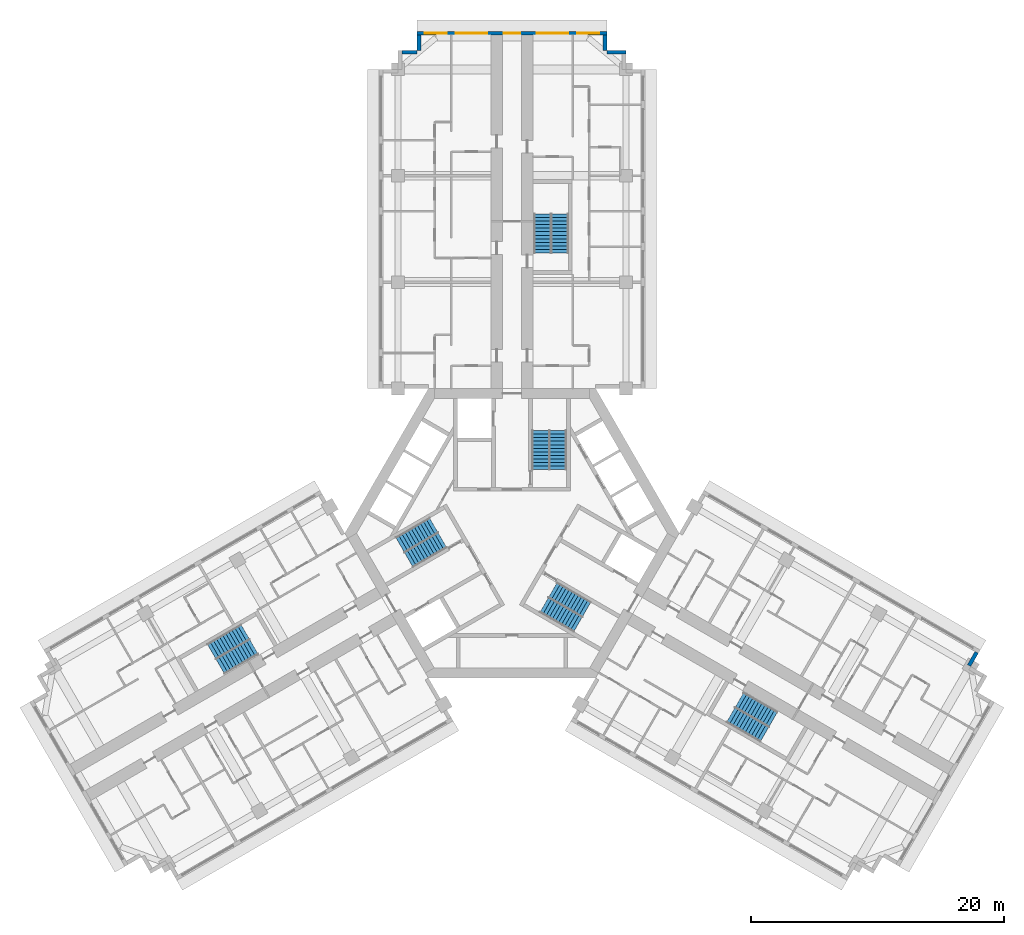
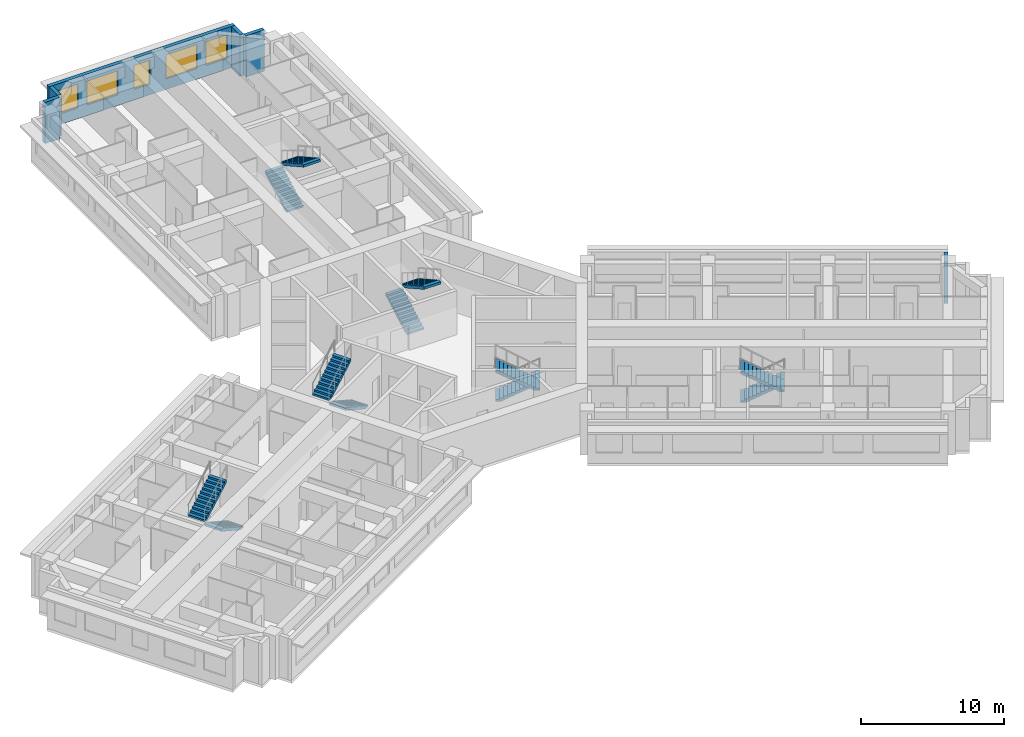
# One storey, part 11 of 12: 12 stair flights, 6 walls, 5 windows, 5 openings, 6 elements without a shape of their own.
"""IFC4 building model written with IfcOpenShell, lengths in metres."""

from ifc_helpers import new_model, si_unit, direction, frame, frame_2d, origin, place, context, subcontext, project, spatial, polyline, rectangle, outline, extrude, material, layer, layer_set, type_object, element, fill, aggregate, save


model = new_model("IFC4")

# Units and contexts
model_context = context("Model", 3, precision=1e-05, world=origin(), true_north=direction((0.0, 1.0)))
body_context = subcontext(model_context, "Body", "Model", "MODEL_VIEW")
ifc_project = project(units=[si_unit("LENGTHUNIT", "METRE"), si_unit("AREAUNIT", "SQUARE_METRE"), si_unit("VOLUMEUNIT", "CUBIC_METRE"), si_unit("PLANEANGLEUNIT", "RADIAN"), si_unit("MASSUNIT", "GRAM", prefix="KILO")], contexts=[model_context])

# Site, building, storey
site_placement = place(None, origin())
site = spatial("IfcSite", under=ifc_project, at=site_placement, CompositionType="ELEMENT")
building_placement = place(site_placement, origin())
building = spatial("IfcBuilding", under=site, at=building_placement, Name="Impinga Residences", CompositionType="ELEMENT")
storey_placement = place(building_placement, frame((0.0, 0.0, 162.25)))
storey = spatial("IfcBuildingStorey", under=building, at=storey_placement, Name="L40", CompositionType="ELEMENT", Elevation=162.25)

# Walls
ifc_material_1 = material(Name="Terracotta rainscreen on blockwork", Category="masonry")
ifc_layer = layer(ifc_material_1, 0.300048828125)
ifc_layer_set = layer_set([ifc_layer], Name="EW1 external wall, terracotta rainscreen on blockwork 300")
wall_type = type_object("IfcWallType", Name="EW1 external wall, terracotta rainscreen on blockwork 300", PredefinedType="SOLIDWALL", material=ifc_layer_set)
wall_1_placement = place(storey_placement, frame((-8.699951171875, 37.9814453125, 0.0), z_axis=(0.0, 0.0, 1.0), x_axis=(1.0, 0.0, 0.0)))
element("IfcWall", 1, at=wall_1_placement, inside=storey, type_object=wall_type, Name="External wall EW1 L40", PredefinedType="SOLIDWALL", context=body_context, shape_type="SweptSolid", body=[
    extrude(rectangle(XDim=1.199951171875, YDim=0.300048828125, at=frame_2d((0.60009765625, 0.0))), origin(), (0.0, 0.0, 1.0), 3.530029296875),
])
wall_2_placement = place(storey_placement, frame((-7.35009765625, 38.136474609375, 0.0), z_axis=(0.0, 0.0, 1.0), x_axis=(0.0, 1.0, 0.0)))
element("IfcWall", 2, at=wall_2_placement, inside=storey, type_object=wall_type, Name="External wall EW1 L40", PredefinedType="SOLIDWALL", context=body_context, shape_type="SweptSolid", body=[
    extrude(rectangle(XDim=1.195068359375, YDim=0.300048828125, at=frame_2d((0.59765625, 0.0))), origin(), (0.0, 0.0, 1.0), 3.530029296875),
])

# Wall, openings, windows
wall_3_placement = place(storey_placement, frame((-7.5, 39.4814453125, 0.0), z_axis=(0.0, 0.0, 1.0), x_axis=(1.0, 0.0, 0.0)))
wall_3 = element("IfcWall", 3, at=wall_3_placement, inside=storey, type_object=wall_type, Name="External wall EW1 L40", PredefinedType="SOLIDWALL", context=body_context, shape_type="SweptSolid", body=[
    extrude(rectangle(XDim=15.0, YDim=0.300048828125, at=frame_2d((7.5, 0.0))), origin(), (0.0, 0.0, 1.0), 3.530029296875),
])
opening_1_placement = place(wall_3_placement, frame((0.60009765625, 0.0, 0.89990234375)))
opening_1 = element("IfcOpeningElement", 4, at=opening_1_placement, cuts=wall_3, Name="Opening W1", PredefinedType="OPENING", context=body_context, shape_type="SweptSolid", body=[
    extrude(rectangle(XDim=1.75, YDim=2.050048828125, at=frame_2d((0.875, 1.02490234375))), frame((0.0, 0.159912109375, 0.0), z_axis=(0.0, -1.0, 0.0), x_axis=(1.0, 0.0, 0.0)), (0.0, 0.0, 1.0), 0.320068359375),
])
opening_2_placement = place(wall_3_placement, frame((3.050048828125, 0.0, 0.89990234375)))
opening_2 = element("IfcOpeningElement", 5, at=opening_2_placement, cuts=wall_3, Name="Opening W2", PredefinedType="OPENING", context=body_context, shape_type="SweptSolid", body=[
    extrude(rectangle(XDim=2.5, YDim=2.050048828125, at=frame_2d((1.25, 1.02490234375))), frame((0.0, 0.159912109375, 0.0), z_axis=(0.0, -1.0, 0.0), x_axis=(1.0, 0.0, 0.0)), (0.0, 0.0, 1.0), 0.320068359375),
])
opening_3_placement = place(wall_3_placement, frame((6.85009765625, 0.0, 0.89990234375)))
opening_3 = element("IfcOpeningElement", 6, at=opening_3_placement, cuts=wall_3, Name="Opening W17", PredefinedType="OPENING", context=body_context, shape_type="SweptSolid", body=[
    extrude(rectangle(XDim=1.300048828125, YDim=2.050048828125, at=frame_2d((0.64990234375, 1.02490234375))), frame((0.0, 0.159912109375, 0.0), z_axis=(0.0, -1.0, 0.0), x_axis=(1.0, 0.0, 0.0)), (0.0, 0.0, 1.0), 0.320068359375),
])
opening_4_placement = place(wall_3_placement, frame((9.449951171875, 0.0, 0.89990234375)))
opening_4 = element("IfcOpeningElement", 7, at=opening_4_placement, cuts=wall_3, Name="Opening W2", PredefinedType="OPENING", context=body_context, shape_type="SweptSolid", body=[
    extrude(rectangle(XDim=2.5, YDim=2.050048828125, at=frame_2d((1.25, 1.02490234375))), frame((0.0, 0.159912109375, 0.0), z_axis=(0.0, -1.0, 0.0), x_axis=(1.0, 0.0, 0.0)), (0.0, 0.0, 1.0), 0.320068359375),
])
opening_5_placement = place(wall_3_placement, frame((12.64990234375, 0.0, 0.89990234375)))
opening_5 = element("IfcOpeningElement", 8, at=opening_5_placement, cuts=wall_3, Name="Opening W1", PredefinedType="OPENING", context=body_context, shape_type="SweptSolid", body=[
    extrude(rectangle(XDim=1.75, YDim=2.050048828125, at=frame_2d((0.875, 1.02490234375))), frame((0.0, 0.159912109375, 0.0), z_axis=(0.0, -1.0, 0.0), x_axis=(1.0, 0.0, 0.0)), (0.0, 0.0, 1.0), 0.320068359375),
])
ifc_material_2 = material(Name="Aluminium window, clear double glazing", Category="aluminium")
window_type_1 = type_object("IfcWindowType", Name="W1 ribbon window 1750x2050", PartitioningType="SINGLE_PANEL", PredefinedType="WINDOW", material=ifc_material_2)
window_1_placement = place(opening_1_placement, origin())
window_1 = element("IfcWindow", 9, at=window_1_placement, inside=storey, type_object=window_type_1, Name="Window L40", OverallHeight=2.050048828125, OverallWidth=1.75, PartitioningType="SINGLE_PANEL", PredefinedType="WINDOW", context=body_context, shape_type="SweptSolid", body=[
    extrude(rectangle(XDim=1.75, YDim=2.050048828125, at=frame_2d((0.875, 1.02490234375))), frame((0.0, 0.030029296875, 0.0), z_axis=(0.0, -1.0, 0.0), x_axis=(1.0, 0.0, 0.0)), (0.0, 0.0, 1.0), 0.06005859375),
])
fill(opening_1, window_1)
window_2_placement = place(opening_5_placement, origin())
window_2 = element("IfcWindow", 10, at=window_2_placement, inside=storey, type_object=window_type_1, Name="Window L40", OverallHeight=2.050048828125, OverallWidth=1.75, PartitioningType="SINGLE_PANEL", PredefinedType="WINDOW", context=body_context, shape_type="SweptSolid", body=[
    extrude(rectangle(XDim=1.75, YDim=2.050048828125, at=frame_2d((0.875, 1.02490234375))), frame((0.0, 0.030029296875, 0.0), z_axis=(0.0, -1.0, 0.0), x_axis=(1.0, 0.0, 0.0)), (0.0, 0.0, 1.0), 0.06005859375),
])
fill(opening_5, window_2)
window_type_2 = type_object("IfcWindowType", Name="W17 ribbon window 1300x2050", PartitioningType="SINGLE_PANEL", PredefinedType="WINDOW", material=ifc_material_2)
window_3_placement = place(opening_3_placement, origin())
window_3 = element("IfcWindow", 11, at=window_3_placement, inside=storey, type_object=window_type_2, Name="Window L40", OverallHeight=2.050048828125, OverallWidth=1.300048828125, PartitioningType="SINGLE_PANEL", PredefinedType="WINDOW", context=body_context, shape_type="SweptSolid", body=[
    extrude(rectangle(XDim=1.300048828125, YDim=2.050048828125, at=frame_2d((0.64990234375, 1.02490234375))), frame((0.0, 0.030029296875, 0.0), z_axis=(0.0, -1.0, 0.0), x_axis=(1.0, 0.0, 0.0)), (0.0, 0.0, 1.0), 0.06005859375),
])
fill(opening_3, window_3)
window_type_3 = type_object("IfcWindowType", Name="W2 ribbon window 2500x2050", PartitioningType="SINGLE_PANEL", PredefinedType="WINDOW", material=ifc_material_2)
window_4_placement = place(opening_2_placement, origin())
window_4 = element("IfcWindow", 12, at=window_4_placement, inside=storey, type_object=window_type_3, Name="Window L40", OverallHeight=2.050048828125, OverallWidth=2.5, PartitioningType="SINGLE_PANEL", PredefinedType="WINDOW", context=body_context, shape_type="SweptSolid", body=[
    extrude(rectangle(XDim=2.5, YDim=2.050048828125, at=frame_2d((1.25, 1.02490234375))), frame((0.0, 0.030029296875, 0.0), z_axis=(0.0, -1.0, 0.0), x_axis=(1.0, 0.0, 0.0)), (0.0, 0.0, 1.0), 0.06005859375),
])
fill(opening_2, window_4)
window_5_placement = place(opening_4_placement, origin())
window_5 = element("IfcWindow", 13, at=window_5_placement, inside=storey, type_object=window_type_3, Name="Window L40", OverallHeight=2.050048828125, OverallWidth=2.5, PartitioningType="SINGLE_PANEL", PredefinedType="WINDOW", context=body_context, shape_type="SweptSolid", body=[
    extrude(rectangle(XDim=2.5, YDim=2.050048828125, at=frame_2d((1.25, 1.02490234375))), frame((0.0, 0.030029296875, 0.0), z_axis=(0.0, -1.0, 0.0), x_axis=(1.0, 0.0, 0.0)), (0.0, 0.0, 1.0), 0.06005859375),
])
fill(opening_4, window_5)

# Walls
wall_4_placement = place(storey_placement, frame((7.35009765625, 39.33154296875, 0.0), z_axis=(0.0, 0.0, 1.0), x_axis=(0.0, -1.0, 0.0)))
element("IfcWall", 14, at=wall_4_placement, inside=storey, type_object=wall_type, Name="External wall EW1 L40", PredefinedType="SOLIDWALL", context=body_context, shape_type="SweptSolid", body=[
    extrude(rectangle(XDim=1.195068359375, YDim=0.300048828125, at=frame_2d((0.59765625, 0.0))), origin(), (0.0, 0.0, 1.0), 3.530029296875),
])
wall_5_placement = place(storey_placement, frame((7.5, 37.9814453125, 0.0), z_axis=(0.0, 0.0, 1.0), x_axis=(1.0, 0.0, 0.0)))
element("IfcWall", 15, at=wall_5_placement, inside=storey, type_object=wall_type, Name="External wall EW1 L40", PredefinedType="SOLIDWALL", context=body_context, shape_type="SweptSolid", body=[
    extrude(rectangle(XDim=1.5, YDim=0.300048828125, at=frame_2d((0.75, 0.0))), origin(), (0.0, 0.0, 1.0), 3.530029296875),
])
wall_6_placement = place(storey_placement, frame((36.69384765625, -9.4072265625, 0.0), z_axis=(0.0, 0.0, 1.0), x_axis=(-0.499880961361, -0.866094119867, 0.0)))
element("IfcWall", 16, at=wall_6_placement, inside=storey, type_object=wall_type, Name="External wall EW1 L40", PredefinedType="SOLIDWALL", context=body_context, shape_type="SweptSolid", body=[
    extrude(rectangle(XDim=1.199951171875, YDim=0.300048828125, at=frame_2d((0.60009765625, 0.0))), origin(), (0.0, 0.0, 1.0), 3.530029296875),
])

# Stair, stair flights
ifc_material_3 = material(Name="Concrete C40/50", Category="concrete")
stair_type_1 = type_object("IfcStairType", Name="STR core stair 3750 storey, 24 risers", PredefinedType="HALF_TURN_STAIR", material=ifc_material_3)
stair_1_placement = place(storey_placement, origin())
stair_1 = element("IfcStair", 17, at=stair_1_placement, inside=storey, type_object=stair_type_1, Name="Stair ST1 L40", PredefinedType="HALF_TURN_STAIR")
stair_flight_type = type_object("IfcStairFlightType", Name="SF 12 risers of 156", PredefinedType="STRAIGHT", material=ifc_material_3)
stair_flight_1_placement = place(storey_placement, frame((2.27490234375, 5.030029296875, 0.0), z_axis=(0.0, 0.0, 1.0), x_axis=(0.0, 1.0, 0.0)))
stair_flight_1 = element("IfcStairFlight", 18, at=stair_flight_1_placement, type_object=stair_flight_type, Name="ST1 flight 1", NumberOfRisers=12, NumberOfTreads=11, PredefinedType="STRAIGHT", RiserHeight=0.15625, TreadLength=0.28, context=body_context, shape_type="SweptSolid", body=[
    extrude(outline(polyline([(0.0, 0.0), (0.0, 0.15625), (0.280029296875, 0.15625), (0.280029296875, 0.3125), (0.56005859375, 0.3125), (0.56005859375, 0.46875), (0.840087890625, 0.46875), (0.840087890625, 0.625), (1.1201171875, 0.625), (1.1201171875, 0.78125), (1.39990234375, 0.78125), (1.39990234375, 0.9375), (1.679931640625, 0.9375), (1.679931640625, 1.09375), (1.9599609375, 1.09375), (1.9599609375, 1.25), (2.239990234375, 1.25), (2.239990234375, 1.40625), (2.52001953125, 1.40625), (2.52001953125, 1.5625), (2.800048828125, 1.5625), (2.800048828125, 1.71875), (3.080078125, 1.71875), (3.080078125, 1.875), (3.080078125, 1.5126953125), (0.369140625, 0.0), (0.0, 0.0)])), frame((0.0, 0.675048828125, 0.0), z_axis=(0.0, -1.0, 0.0), x_axis=(1.0, 0.0, 0.0)), (0.0, 0.0, 1.0), 1.35009765625),
])
stair_flight_2_placement = place(storey_placement, frame((3.625, 8.110107421875, 1.875), z_axis=(0.0, 0.0, 1.0), x_axis=(0.0, -1.0, 0.0)))
stair_flight_2 = element("IfcStairFlight", 19, at=stair_flight_2_placement, type_object=stair_flight_type, Name="ST1 flight 2", NumberOfRisers=12, NumberOfTreads=11, PredefinedType="STRAIGHT", RiserHeight=0.15625, TreadLength=0.28, context=body_context, shape_type="SweptSolid", body=[
    extrude(outline(polyline([(0.0, 0.0), (0.0, 0.15625), (0.280029296875, 0.15625), (0.280029296875, 0.3125), (0.56005859375, 0.3125), (0.56005859375, 0.46875), (0.840087890625, 0.46875), (0.840087890625, 0.625), (1.1201171875, 0.625), (1.1201171875, 0.78125), (1.39990234375, 0.78125), (1.39990234375, 0.9375), (1.679931640625, 0.9375), (1.679931640625, 1.09375), (1.9599609375, 1.09375), (1.9599609375, 1.25), (2.239990234375, 1.25), (2.239990234375, 1.40625), (2.52001953125, 1.40625), (2.52001953125, 1.5625), (2.800048828125, 1.5625), (2.800048828125, 1.71875), (3.080078125, 1.71875), (3.080078125, 1.875), (3.080078125, 1.5126953125), (0.369140625, 0.0), (0.0, 0.0)])), frame((0.0, 0.675048828125, 0.0), z_axis=(0.0, -1.0, 0.0), x_axis=(1.0, 0.0, 0.0)), (0.0, 0.0, 1.0), 1.35009765625),
])
aggregate(stair_1, [stair_flight_1, stair_flight_2])

stair_2_placement = place(storey_placement, origin())
stair_2 = element("IfcStair", 20, at=stair_2_placement, inside=storey, type_object=stair_type_1, Name="Stair ST2 L40", PredefinedType="HALF_TURN_STAIR")
stair_flight_3_placement = place(storey_placement, frame((-5.49365234375, -0.544677734375, 0.0), z_axis=(0.0, 0.0, 1.0), x_axis=(-0.866025403784, -0.5, 0.0)))
stair_flight_3 = element("IfcStairFlight", 21, at=stair_flight_3_placement, type_object=stair_flight_type, Name="ST2 flight 1", NumberOfRisers=12, NumberOfTreads=11, PredefinedType="STRAIGHT", RiserHeight=0.15625, TreadLength=0.28, context=body_context, shape_type="SweptSolid", body=[
    extrude(outline(polyline([(0.0, 0.0), (0.0, 0.15625), (0.280029296875, 0.15625), (0.280029296875, 0.3125), (0.56005859375, 0.3125), (0.56005859375, 0.46875), (0.840087890625, 0.46875), (0.840087890625, 0.625), (1.1201171875, 0.625), (1.1201171875, 0.78125), (1.39990234375, 0.78125), (1.39990234375, 0.9375), (1.679931640625, 0.9375), (1.679931640625, 1.09375), (1.9599609375, 1.09375), (1.9599609375, 1.25), (2.239990234375, 1.25), (2.239990234375, 1.40625), (2.52001953125, 1.40625), (2.52001953125, 1.5625), (2.800048828125, 1.5625), (2.800048828125, 1.71875), (3.080078125, 1.71875), (3.080078125, 1.875), (3.080078125, 1.5126953125), (0.369140625, 0.0), (0.0, 0.0)])), frame((0.0, 0.675048828125, 0.0), z_axis=(0.0, -1.0, 0.0), x_axis=(1.0, 0.0, 0.0)), (0.0, 0.0, 1.0), 1.35009765625),
])
stair_flight_4_placement = place(storey_placement, frame((-8.8359375, -0.915771484375, 1.875), z_axis=(0.0, 0.0, 1.0), x_axis=(0.866025403784, 0.5, 0.0)))
stair_flight_4 = element("IfcStairFlight", 22, at=stair_flight_4_placement, type_object=stair_flight_type, Name="ST2 flight 2", NumberOfRisers=12, NumberOfTreads=11, PredefinedType="STRAIGHT", RiserHeight=0.15625, TreadLength=0.28, context=body_context, shape_type="SweptSolid", body=[
    extrude(outline(polyline([(0.0, 0.0), (0.0, 0.15625), (0.280029296875, 0.15625), (0.280029296875, 0.3125), (0.56005859375, 0.3125), (0.56005859375, 0.46875), (0.840087890625, 0.46875), (0.840087890625, 0.625), (1.1201171875, 0.625), (1.1201171875, 0.78125), (1.39990234375, 0.78125), (1.39990234375, 0.9375), (1.679931640625, 0.9375), (1.679931640625, 1.09375), (1.9599609375, 1.09375), (1.9599609375, 1.25), (2.239990234375, 1.25), (2.239990234375, 1.40625), (2.52001953125, 1.40625), (2.52001953125, 1.5625), (2.800048828125, 1.5625), (2.800048828125, 1.71875), (3.080078125, 1.71875), (3.080078125, 1.875), (3.080078125, 1.5126953125), (0.369140625, 0.0), (0.0, 0.0)])), frame((0.0, 0.675048828125, 0.0), z_axis=(0.0, -1.0, 0.0), x_axis=(1.0, 0.0, 0.0)), (0.0, 0.0, 1.0), 1.35009765625),
])
aggregate(stair_2, [stair_flight_3, stair_flight_4])

stair_3_placement = place(storey_placement, origin())
stair_3 = element("IfcStair", 23, at=stair_3_placement, inside=storey, type_object=stair_type_1, Name="Stair ST3 L40", PredefinedType="HALF_TURN_STAIR")
stair_flight_5_placement = place(storey_placement, frame((3.218505859375, -4.485107421875, 0.0), z_axis=(0.0, 0.0, 1.0), x_axis=(0.866025403784, -0.5, 0.0)))
stair_flight_5 = element("IfcStairFlight", 24, at=stair_flight_5_placement, type_object=stair_flight_type, Name="ST3 flight 1", NumberOfRisers=12, NumberOfTreads=11, PredefinedType="STRAIGHT", RiserHeight=0.15625, TreadLength=0.28, context=body_context, shape_type="SweptSolid", body=[
    extrude(outline(polyline([(0.0, 0.0), (0.0, 0.15625), (0.280029296875, 0.15625), (0.280029296875, 0.3125), (0.56005859375, 0.3125), (0.56005859375, 0.46875), (0.840087890625, 0.46875), (0.840087890625, 0.625), (1.1201171875, 0.625), (1.1201171875, 0.78125), (1.39990234375, 0.78125), (1.39990234375, 0.9375), (1.679931640625, 0.9375), (1.679931640625, 1.09375), (1.9599609375, 1.09375), (1.9599609375, 1.25), (2.239990234375, 1.25), (2.239990234375, 1.40625), (2.52001953125, 1.40625), (2.52001953125, 1.5625), (2.800048828125, 1.5625), (2.800048828125, 1.71875), (3.080078125, 1.71875), (3.080078125, 1.875), (3.080078125, 1.5126953125), (0.369140625, 0.0), (0.0, 0.0)])), frame((0.0, 0.675048828125, 0.0), z_axis=(0.0, -1.0, 0.0), x_axis=(1.0, 0.0, 0.0)), (0.0, 0.0, 1.0), 1.35009765625),
])
stair_flight_6_placement = place(storey_placement, frame((5.2109375, -7.1943359375, 1.875), z_axis=(0.0, 0.0, 1.0), x_axis=(-0.866025403784, 0.5, 0.0)))
stair_flight_6 = element("IfcStairFlight", 25, at=stair_flight_6_placement, type_object=stair_flight_type, Name="ST3 flight 2", NumberOfRisers=12, NumberOfTreads=11, PredefinedType="STRAIGHT", RiserHeight=0.15625, TreadLength=0.28, context=body_context, shape_type="SweptSolid", body=[
    extrude(outline(polyline([(0.0, 0.0), (0.0, 0.15625), (0.280029296875, 0.15625), (0.280029296875, 0.3125), (0.56005859375, 0.3125), (0.56005859375, 0.46875), (0.840087890625, 0.46875), (0.840087890625, 0.625), (1.1201171875, 0.625), (1.1201171875, 0.78125), (1.39990234375, 0.78125), (1.39990234375, 0.9375), (1.679931640625, 0.9375), (1.679931640625, 1.09375), (1.9599609375, 1.09375), (1.9599609375, 1.25), (2.239990234375, 1.25), (2.239990234375, 1.40625), (2.52001953125, 1.40625), (2.52001953125, 1.5625), (2.800048828125, 1.5625), (2.800048828125, 1.71875), (3.080078125, 1.71875), (3.080078125, 1.875), (3.080078125, 1.5126953125), (0.369140625, 0.0), (0.0, 0.0)])), frame((0.0, 0.675048828125, 0.0), z_axis=(0.0, -1.0, 0.0), x_axis=(1.0, 0.0, 0.0)), (0.0, 0.0, 1.0), 1.35009765625),
])
aggregate(stair_3, [stair_flight_5, stair_flight_6])

stair_type_2 = type_object("IfcStairType", Name="STR wing stair 3750 storey, 24 risers", PredefinedType="HALF_TURN_STAIR", material=ifc_material_3)
stair_4_placement = place(storey_placement, origin())
stair_4 = element("IfcStair", 26, at=stair_4_placement, inside=storey, type_object=stair_type_2, Name="Stair WS1 L40", PredefinedType="HALF_TURN_STAIR")
stair_flight_7_placement = place(storey_placement, frame((2.425048828125, 22.131591796875, 0.0), z_axis=(0.0, 0.0, 1.0), x_axis=(0.0, 1.0, 0.0)))
stair_flight_7 = element("IfcStairFlight", 27, at=stair_flight_7_placement, type_object=stair_flight_type, Name="WS1 flight 1", NumberOfRisers=12, NumberOfTreads=11, PredefinedType="STRAIGHT", RiserHeight=0.15625, TreadLength=0.28, context=body_context, shape_type="SweptSolid", body=[
    extrude(outline(polyline([(0.0, 0.0), (0.0, 0.15625), (0.280029296875, 0.15625), (0.280029296875, 0.3125), (0.56005859375, 0.3125), (0.56005859375, 0.46875), (0.840087890625, 0.46875), (0.840087890625, 0.625), (1.1201171875, 0.625), (1.1201171875, 0.78125), (1.39990234375, 0.78125), (1.39990234375, 0.9375), (1.679931640625, 0.9375), (1.679931640625, 1.09375), (1.9599609375, 1.09375), (1.9599609375, 1.25), (2.239990234375, 1.25), (2.239990234375, 1.40625), (2.52001953125, 1.40625), (2.52001953125, 1.5625), (2.800048828125, 1.5625), (2.800048828125, 1.71875), (3.080078125, 1.71875), (3.080078125, 1.875), (3.080078125, 1.5126953125), (0.369140625, 0.0), (0.0, 0.0)])), frame((0.0, 0.675048828125, 0.0), z_axis=(0.0, -1.0, 0.0), x_axis=(1.0, 0.0, 0.0)), (0.0, 0.0, 1.0), 1.35009765625),
])
stair_flight_8_placement = place(storey_placement, frame((3.77490234375, 25.21142578125, 1.875), z_axis=(0.0, 0.0, 1.0), x_axis=(0.0, -1.0, 0.0)))
stair_flight_8 = element("IfcStairFlight", 28, at=stair_flight_8_placement, type_object=stair_flight_type, Name="WS1 flight 2", NumberOfRisers=12, NumberOfTreads=11, PredefinedType="STRAIGHT", RiserHeight=0.15625, TreadLength=0.28, context=body_context, shape_type="SweptSolid", body=[
    extrude(outline(polyline([(0.0, 0.0), (0.0, 0.15625), (0.280029296875, 0.15625), (0.280029296875, 0.3125), (0.56005859375, 0.3125), (0.56005859375, 0.46875), (0.840087890625, 0.46875), (0.840087890625, 0.625), (1.1201171875, 0.625), (1.1201171875, 0.78125), (1.39990234375, 0.78125), (1.39990234375, 0.9375), (1.679931640625, 0.9375), (1.679931640625, 1.09375), (1.9599609375, 1.09375), (1.9599609375, 1.25), (2.239990234375, 1.25), (2.239990234375, 1.40625), (2.52001953125, 1.40625), (2.52001953125, 1.5625), (2.800048828125, 1.5625), (2.800048828125, 1.71875), (3.080078125, 1.71875), (3.080078125, 1.875), (3.080078125, 1.5126953125), (0.369140625, 0.0), (0.0, 0.0)])), frame((0.0, 0.675048828125, 0.0), z_axis=(0.0, -1.0, 0.0), x_axis=(1.0, 0.0, 0.0)), (0.0, 0.0, 1.0), 1.35009765625),
])
aggregate(stair_4, [stair_flight_7, stair_flight_8])

stair_5_placement = place(storey_placement, origin())
stair_5 = element("IfcStair", 29, at=stair_5_placement, inside=storey, type_object=stair_type_2, Name="Stair WS2 L40", PredefinedType="HALF_TURN_STAIR")
stair_flight_9_placement = place(storey_placement, frame((-20.37890625, -8.965576171875, 0.0), z_axis=(0.0, 0.0, 1.0), x_axis=(-0.866025403784, -0.5, 0.0)))
stair_flight_9 = element("IfcStairFlight", 30, at=stair_flight_9_placement, type_object=stair_flight_type, Name="WS2 flight 1", NumberOfRisers=12, NumberOfTreads=11, PredefinedType="STRAIGHT", RiserHeight=0.15625, TreadLength=0.28, context=body_context, shape_type="SweptSolid", body=[
    extrude(outline(polyline([(0.0, 0.0), (0.0, 0.15625), (0.280029296875, 0.15625), (0.280029296875, 0.3125), (0.56005859375, 0.3125), (0.56005859375, 0.46875), (0.840087890625, 0.46875), (0.840087890625, 0.625), (1.1201171875, 0.625), (1.1201171875, 0.78125), (1.39990234375, 0.78125), (1.39990234375, 0.9375), (1.679931640625, 0.9375), (1.679931640625, 1.09375), (1.9599609375, 1.09375), (1.9599609375, 1.25), (2.239990234375, 1.25), (2.239990234375, 1.40625), (2.52001953125, 1.40625), (2.52001953125, 1.5625), (2.800048828125, 1.5625), (2.800048828125, 1.71875), (3.080078125, 1.71875), (3.080078125, 1.875), (3.080078125, 1.5126953125), (0.369140625, 0.0), (0.0, 0.0)])), frame((0.0, 0.675048828125, 0.0), z_axis=(0.0, -1.0, 0.0), x_axis=(1.0, 0.0, 0.0)), (0.0, 0.0, 1.0), 1.35009765625),
])
stair_flight_10_placement = place(storey_placement, frame((-23.721435546875, -9.33642578125, 1.875), z_axis=(0.0, 0.0, 1.0), x_axis=(0.866025403784, 0.5, 0.0)))
stair_flight_10 = element("IfcStairFlight", 31, at=stair_flight_10_placement, type_object=stair_flight_type, Name="WS2 flight 2", NumberOfRisers=12, NumberOfTreads=11, PredefinedType="STRAIGHT", RiserHeight=0.15625, TreadLength=0.28, context=body_context, shape_type="SweptSolid", body=[
    extrude(outline(polyline([(0.0, 0.0), (0.0, 0.15625), (0.280029296875, 0.15625), (0.280029296875, 0.3125), (0.56005859375, 0.3125), (0.56005859375, 0.46875), (0.840087890625, 0.46875), (0.840087890625, 0.625), (1.1201171875, 0.625), (1.1201171875, 0.78125), (1.39990234375, 0.78125), (1.39990234375, 0.9375), (1.679931640625, 0.9375), (1.679931640625, 1.09375), (1.9599609375, 1.09375), (1.9599609375, 1.25), (2.239990234375, 1.25), (2.239990234375, 1.40625), (2.52001953125, 1.40625), (2.52001953125, 1.5625), (2.800048828125, 1.5625), (2.800048828125, 1.71875), (3.080078125, 1.71875), (3.080078125, 1.875), (3.080078125, 1.5126953125), (0.369140625, 0.0), (0.0, 0.0)])), frame((0.0, 0.675048828125, 0.0), z_axis=(0.0, -1.0, 0.0), x_axis=(1.0, 0.0, 0.0)), (0.0, 0.0, 1.0), 1.35009765625),
])
aggregate(stair_5, [stair_flight_9, stair_flight_10])

stair_6_placement = place(storey_placement, origin())
stair_6 = element("IfcStair", 32, at=stair_6_placement, inside=storey, type_object=stair_type_2, Name="Stair WS3 L40", PredefinedType="HALF_TURN_STAIR")
stair_flight_11_placement = place(storey_placement, frame((17.953857421875, -13.165771484375, 0.0), z_axis=(0.0, 0.0, 1.0), x_axis=(0.866025403784, -0.5, 0.0)))
stair_flight_11 = element("IfcStairFlight", 33, at=stair_flight_11_placement, type_object=stair_flight_type, Name="WS3 flight 1", NumberOfRisers=12, NumberOfTreads=11, PredefinedType="STRAIGHT", RiserHeight=0.15625, TreadLength=0.28, context=body_context, shape_type="SweptSolid", body=[
    extrude(outline(polyline([(0.0, 0.0), (0.0, 0.15625), (0.280029296875, 0.15625), (0.280029296875, 0.3125), (0.56005859375, 0.3125), (0.56005859375, 0.46875), (0.840087890625, 0.46875), (0.840087890625, 0.625), (1.1201171875, 0.625), (1.1201171875, 0.78125), (1.39990234375, 0.78125), (1.39990234375, 0.9375), (1.679931640625, 0.9375), (1.679931640625, 1.09375), (1.9599609375, 1.09375), (1.9599609375, 1.25), (2.239990234375, 1.25), (2.239990234375, 1.40625), (2.52001953125, 1.40625), (2.52001953125, 1.5625), (2.800048828125, 1.5625), (2.800048828125, 1.71875), (3.080078125, 1.71875), (3.080078125, 1.875), (3.080078125, 1.5126953125), (0.369140625, 0.0), (0.0, 0.0)])), frame((0.0, 0.675048828125, 0.0), z_axis=(0.0, -1.0, 0.0), x_axis=(1.0, 0.0, 0.0)), (0.0, 0.0, 1.0), 1.35009765625),
])
stair_flight_12_placement = place(storey_placement, frame((19.9462890625, -15.875, 1.875), z_axis=(0.0, 0.0, 1.0), x_axis=(-0.866025403784, 0.5, 0.0)))
stair_flight_12 = element("IfcStairFlight", 34, at=stair_flight_12_placement, type_object=stair_flight_type, Name="WS3 flight 2", NumberOfRisers=12, NumberOfTreads=11, PredefinedType="STRAIGHT", RiserHeight=0.15625, TreadLength=0.28, context=body_context, shape_type="SweptSolid", body=[
    extrude(outline(polyline([(0.0, 0.0), (0.0, 0.15625), (0.280029296875, 0.15625), (0.280029296875, 0.3125), (0.56005859375, 0.3125), (0.56005859375, 0.46875), (0.840087890625, 0.46875), (0.840087890625, 0.625), (1.1201171875, 0.625), (1.1201171875, 0.78125), (1.39990234375, 0.78125), (1.39990234375, 0.9375), (1.679931640625, 0.9375), (1.679931640625, 1.09375), (1.9599609375, 1.09375), (1.9599609375, 1.25), (2.239990234375, 1.25), (2.239990234375, 1.40625), (2.52001953125, 1.40625), (2.52001953125, 1.5625), (2.800048828125, 1.5625), (2.800048828125, 1.71875), (3.080078125, 1.71875), (3.080078125, 1.875), (3.080078125, 1.5126953125), (0.369140625, 0.0), (0.0, 0.0)])), frame((0.0, 0.675048828125, 0.0), z_axis=(0.0, -1.0, 0.0), x_axis=(1.0, 0.0, 0.0)), (0.0, 0.0, 1.0), 1.35009765625),
])
aggregate(stair_6, [stair_flight_11, stair_flight_12])

save(model, "model.ifc")
